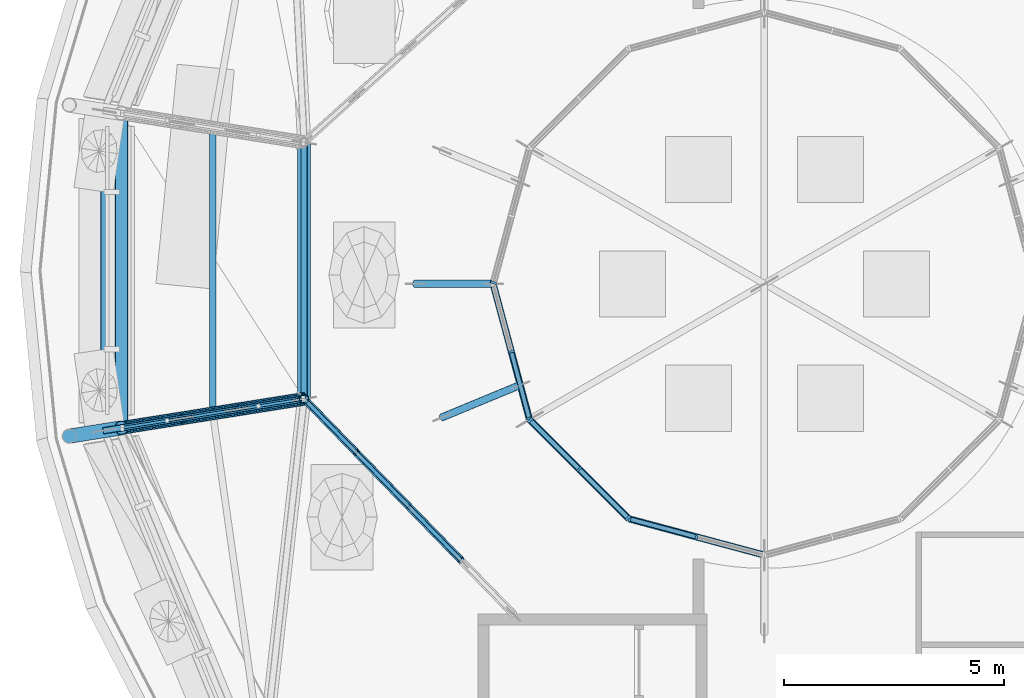
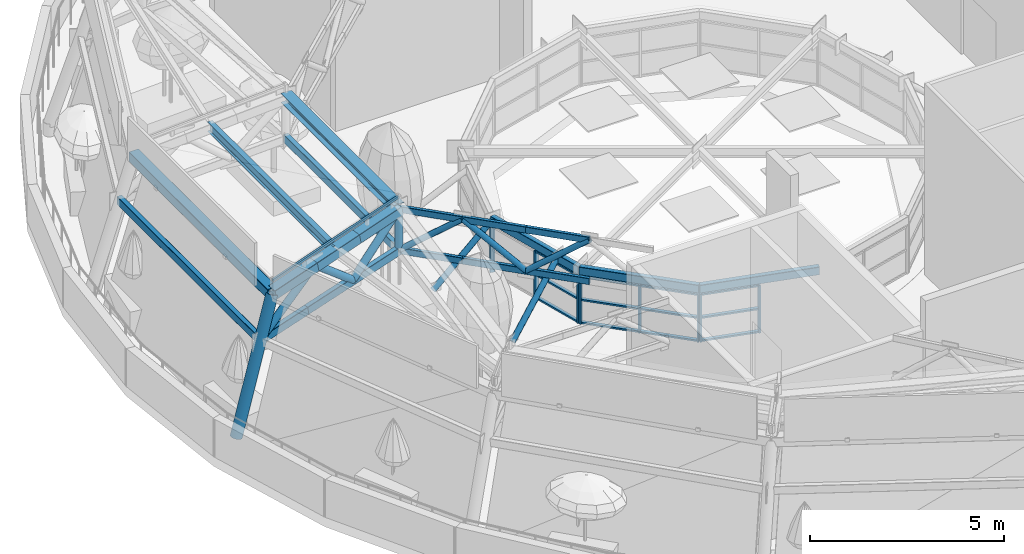
# One storey, part 6 of 40: 44 members, 7 beams, 5 elements without a shape of their own.
"""IFC4 building model written with IfcOpenShell, lengths in metres."""

from ifc_helpers import new_model, si_unit, direction, frame, origin, origin_2d, place, context, subcontext, project, spatial, rectangle, hollow_rectangle, hollow_circle, i_section, extrude, material, material_profile, profile_set, type_object, element, aggregate, save


model = new_model("IFC4")

# Units and contexts
model_context = context("Model", 3, precision=1e-05, world=origin(), true_north=direction((0.0, 1.0)))
body_context = subcontext(model_context, "Body", "Model", "MODEL_VIEW")
ifc_project = project(units=[si_unit("LENGTHUNIT", "METRE"), si_unit("AREAUNIT", "SQUARE_METRE"), si_unit("VOLUMEUNIT", "CUBIC_METRE"), si_unit("PLANEANGLEUNIT", "RADIAN"), si_unit("MASSUNIT", "GRAM", prefix="KILO")], contexts=[model_context])

# Site, building, storey
site_placement = place(None, origin())
site = spatial("IfcSite", under=ifc_project, at=site_placement, CompositionType="ELEMENT")
building_placement = place(site_placement, origin())
building = spatial("IfcBuilding", under=site, at=building_placement, Name="Taillehof Tower", CompositionType="ELEMENT")
storey_placement = place(building_placement, frame((0.0, 0.0, 275.199951171875)))
storey = spatial("IfcBuildingStorey", under=building, at=storey_placement, Name="L77", CompositionType="ELEMENT", Elevation=275.199951171875)

# Beam
ifc_material_1 = material(Name="Steel S460M", Category="steel")
ifc_material_profile_1 = material_profile(ifc_material_1, i_section(OverallWidth=0.300048828125, OverallDepth=0.2900390625, WebThickness=0.008544921875, FlangeThickness=0.013916015625, FilletRadius=0.027099609375, at=origin_2d()), Name="HEA 300")
ifc_profile_set_1 = profile_set([ifc_material_profile_1], Name="Steel S460M")
beam_type_1 = type_object("IfcBeamType", Name="Canopy apex ring beam HEA 300", PredefinedType="BEAM", material=ifc_profile_set_1)
beam_1_placement = place(storey_placement, frame((-18.451416015625, 3.212890625, 5.10009765625), z_axis=(0.0, -1.0, 0.0), x_axis=(1.0, 0.0, 0.0)))
element("IfcBeam", 1, at=beam_1_placement, inside=storey, type_object=beam_type_1, Name="Canopy ring beam CR27", PredefinedType="BEAM", context=body_context, shape_type="SweptSolid", body=[
    extrude(i_section(OverallWidth=0.300048828125, OverallDepth=0.2900390625, WebThickness=0.008544921875, FlangeThickness=0.013916015625, FilletRadius=0.027099609375, at=origin_2d()), origin(), (0.0, 0.0, 1.0), 5.825927734375),
])

# Curtain wall, member
ifc_material_2 = material(Name="Aluminium glazing bars with clear laminated safety glass", Category="aluminium")
curtain_wall_type_1 = type_object("IfcCurtainWallType", Name="Canopy glazing", PredefinedType="NOTDEFINED", material=ifc_material_2)
curtain_wall_1_placement = place(storey_placement, origin())
curtain_wall_1 = element("IfcCurtainWall", 2, at=curtain_wall_1_placement, inside=storey, type_object=curtain_wall_type_1, Name="Canopy glazing 4", PredefinedType="NOTDEFINED")
ifc_material_3 = material(Name="Aluminium glazing bar", Category="aluminium")
ifc_material_profile_2 = material_profile(ifc_material_3, rectangle(XDim=0.06005859375, YDim=0.070068359375, at=origin_2d()), Name="AL 60x70")
ifc_profile_set_2 = profile_set([ifc_material_profile_2], Name="Aluminium glazing bar")
member_type_1 = type_object("IfcMemberType", Name="Canopy glazing bar 60x70", PredefinedType="USERDEFINED", material=ifc_profile_set_2)
member_1_placement = place(storey_placement, frame((-22.59912109375, -3.27099609375, 4.68798828125), z_axis=(0.970208333844, 0.153888026585, 0.187120988171), x_axis=(-0.156655044229, 0.987653379034, 0.0)))
member_1 = element("IfcMember", 3, at=member_1_placement, type_object=member_type_1, Name="Canopy glazing bar 10", ObjectType="TRANSOM", PredefinedType="USERDEFINED", context=body_context, shape_type="SweptSolid", body=[
    extrude(rectangle(XDim=0.06005859375, YDim=0.070068359375, at=origin_2d()), origin(), (0.0, 0.0, 1.0), 4.275634765625),
])
aggregate(curtain_wall_1, [member_1])

# Member
ifc_material_4 = material(Name="Steel S460M", Category="steel")
ifc_material_profile_3 = material_profile(ifc_material_4, hollow_circle(Radius=0.109619140625, WallThickness=0.012451171875, at=origin_2d()), Name="CHS 219.1x12.5")
ifc_profile_set_3 = profile_set([ifc_material_profile_3], Name="Steel S460M")
member_type_2 = type_object("IfcMemberType", Name="Canopy inner ring post CHS 219.1x12.5", PredefinedType="POST", material=ifc_profile_set_3)
member_2_placement = place(storey_placement, frame((-18.451416015625, -2.613037109375, 3.800048828125), z_axis=(0.0, 0.0, 1.0), x_axis=(1.0, 0.0, 0.0)))
element("IfcMember", 4, at=member_2_placement, inside=storey, type_object=member_type_2, Name="Canopy ring post RP10", PredefinedType="POST", context=body_context, shape_type="SweptSolid", body=[
    extrude(hollow_circle(Radius=0.109619140625, WallThickness=0.012451171875, at=origin_2d()), origin(), (0.0, 0.0, 1.0), 1.300048828125),
])

# Beams
ifc_material_5 = material(Name="Steel S460M", Category="steel")
ifc_material_profile_4 = material_profile(ifc_material_5, hollow_rectangle(XDim=0.14990234375, YDim=0.25, WallThickness=0.010009765625, InnerFilletRadius=0.010009765625, OuterFilletRadius=0.014892578125, at=origin_2d()), Name="RHS 250x150x10")
ifc_profile_set_4 = profile_set([ifc_material_profile_4], Name="Steel S460M")
beam_type_2 = type_object("IfcBeamType", Name="Canopy lower ring beam RHS 250x150x10", PredefinedType="BEAM", material=ifc_profile_set_4)
beam_2_placement = place(storey_placement, frame((-22.99462890625, 3.93408203125, 3.0), z_axis=(0.0, -1.0, 0.0), x_axis=(1.0, 0.0, 0.0)))
element("IfcBeam", 5, at=beam_2_placement, inside=storey, type_object=beam_type_2, Name="Canopy lower ring beam CB09", PredefinedType="BEAM", context=body_context, shape_type="SweptSolid", body=[
    extrude(hollow_rectangle(XDim=0.14990234375, YDim=0.25, WallThickness=0.010009765625, InnerFilletRadius=0.010009765625, OuterFilletRadius=0.014892578125, at=origin_2d()), origin(), (0.0, 0.0, 1.0), 7.26806640625),
])
beam_3_placement = place(storey_placement, frame((-18.451416015625, 3.212890625, 3.800048828125), z_axis=(0.0, -1.0, 0.0), x_axis=(1.0, 0.0, 0.0)))
element("IfcBeam", 6, at=beam_3_placement, inside=storey, type_object=beam_type_2, Name="Canopy lower ring beam CB27", PredefinedType="BEAM", context=body_context, shape_type="SweptSolid", body=[
    extrude(hollow_rectangle(XDim=0.14990234375, YDim=0.25, WallThickness=0.010009765625, InnerFilletRadius=0.010009765625, OuterFilletRadius=0.014892578125, at=origin_2d()), origin(), (0.0, 0.0, 1.0), 5.825927734375),
])

# Members
ifc_material_6 = material(Name="Steel S460M", Category="steel")
ifc_material_profile_5 = material_profile(ifc_material_6, i_section(OverallWidth=0.14990234375, OverallDepth=0.300048828125, WebThickness=0.007080078125, FlangeThickness=0.0107421875, FilletRadius=0.014892578125, at=origin_2d()), Name="IPE 300")
ifc_profile_set_5 = profile_set([ifc_material_profile_5], Name="Steel S460M")
member_type_3 = type_object("IfcMemberType", Name="Canopy purlin IPE 300", PredefinedType="PURLIN", material=ifc_profile_set_5)
member_3_placement = place(storey_placement, frame((-20.52490234375, 3.5419921875, 4.699951171875), z_axis=(0.0, -1.0, 0.0), x_axis=(1.0, 0.0, 0.0)))
element("IfcMember", 7, at=member_3_placement, inside=storey, type_object=member_type_3, Name="Canopy purlin CP09", PredefinedType="PURLIN", context=body_context, shape_type="SweptSolid", body=[
    extrude(i_section(OverallWidth=0.14990234375, OverallDepth=0.300048828125, WebThickness=0.007080078125, FlangeThickness=0.0107421875, FilletRadius=0.014892578125, at=origin_2d()), origin(), (0.0, 0.0, 1.0), 6.48388671875),
])
ifc_material_7 = material(Name="Steel S460M", Category="steel")
ifc_material_profile_6 = material_profile(ifc_material_7, hollow_rectangle(XDim=0.300048828125, YDim=0.300048828125, WallThickness=0.012451171875, InnerFilletRadius=0.012451171875, OuterFilletRadius=0.018798828125, at=origin_2d()), Name="RHS 300x300x12.5")
ifc_profile_set_6 = profile_set([ifc_material_profile_6], Name="Steel S460M")
member_type_4 = type_object("IfcMemberType", Name="Canopy rafter RHS 300x300x12.5", PredefinedType="RAFTER", material=ifc_profile_set_6)
member_4_placement = place(storey_placement, frame((-22.599365234375, -3.271240234375, 4.300048828125), z_axis=(0.970220522917, 0.153850967611, 0.187088259054), x_axis=(-0.156616325028, 0.98765951964, 0.0)))
element("IfcMember", 8, at=member_4_placement, inside=storey, type_object=member_type_4, Name="Canopy rafter 10 top chord 1", PredefinedType="RAFTER", context=body_context, shape_type="SweptSolid", body=[
    extrude(hollow_rectangle(XDim=0.300048828125, YDim=0.300048828125, WallThickness=0.012451171875, InnerFilletRadius=0.012451171875, OuterFilletRadius=0.018798828125, at=origin_2d()), origin(), (0.0, 0.0, 1.0), 1.425048828125),
])
member_5_placement = place(storey_placement, frame((-21.216796875, -3.052001953125, 4.566650390625), z_axis=(0.970173894871, 0.153987699769, 0.18721752597), x_axis=(-0.156759444883, 0.987636814036, 0.0)))
element("IfcMember", 9, at=member_5_placement, inside=storey, type_object=member_type_4, Name="Canopy rafter 10 top chord 2", PredefinedType="RAFTER", context=body_context, shape_type="SweptSolid", body=[
    extrude(hollow_rectangle(XDim=0.300048828125, YDim=0.300048828125, WallThickness=0.012451171875, InnerFilletRadius=0.012451171875, OuterFilletRadius=0.018798828125, at=origin_2d()), origin(), (0.0, 0.0, 1.0), 1.42529296875),
])
member_6_placement = place(storey_placement, frame((-19.833984375, -2.83251953125, 4.83349609375), z_axis=(0.97019493593, 0.154018231927, 0.187083325099), x_axis=(-0.156786445822, 0.987632528022, 0.0)))
element("IfcMember", 10, at=member_6_placement, inside=storey, type_object=member_type_4, Name="Canopy rafter 10 top chord 3", PredefinedType="RAFTER", context=body_context, shape_type="SweptSolid", body=[
    extrude(hollow_rectangle(XDim=0.300048828125, YDim=0.300048828125, WallThickness=0.012451171875, InnerFilletRadius=0.012451171875, OuterFilletRadius=0.018798828125, at=origin_2d()), origin(), (0.0, 0.0, 1.0), 1.425048828125),
])
ifc_material_8 = material(Name="Steel S460M", Category="steel")
ifc_material_profile_7 = material_profile(ifc_material_8, hollow_rectangle(XDim=0.14990234375, YDim=0.25, WallThickness=0.010009765625, InnerFilletRadius=0.010009765625, OuterFilletRadius=0.014892578125, at=origin_2d()), Name="RHS 250x150x10")
ifc_profile_set_7 = profile_set([ifc_material_profile_7], Name="Steel S460M")
member_type_5 = type_object("IfcMemberType", Name="Canopy rafter bottom chord RHS 250x150x10", PredefinedType="CHORD", material=ifc_profile_set_7)
for number, where, z_axis, x_axis, name in (
    (11, (-22.99462890625, -3.333984375, 3.0), (0.973051883323, 0.15435806113, 0.171299799547), (-0.156673865429, 0.987650393556, 0.0), "Canopy rafter 10 bottom chord 1"),
    (12, (-21.480224609375, -3.09375, 3.2666015625), (0.973002154563, 0.154507032443, 0.171447905036), (-0.156829172664, 0.987625744197, 0.0), "Canopy rafter 10 bottom chord 2"),
    (13, (-19.9658203125, -2.853271484375, 3.533447265625), (0.973051883323, 0.15435806113, 0.171299799547), (-0.156673865429, 0.987650393556, 0.0), "Canopy rafter 10 bottom chord 3"),
):
    element("IfcMember", number, at=place(storey_placement, frame(where, z_axis=z_axis, x_axis=x_axis)), inside=storey, type_object=member_type_5, Name=name, PredefinedType="CHORD", context=body_context, shape_type="SweptSolid", body=[
        extrude(hollow_rectangle(XDim=0.14990234375, YDim=0.25, WallThickness=0.010009765625, InnerFilletRadius=0.010009765625, OuterFilletRadius=0.014892578125, at=origin_2d()), origin(), (0.0, 0.0, 1.0), 1.556396484375),
    ])
ifc_material_9 = material(Name="Steel S460M", Category="steel")
ifc_material_profile_8 = material_profile(ifc_material_9, hollow_circle(Radius=0.109619140625, WallThickness=0.012451171875, at=origin_2d()), Name="CHS 219.1x12.5")
ifc_profile_set_8 = profile_set([ifc_material_profile_8], Name="Steel S460M")
member_type_6 = type_object("IfcMemberType", Name="Canopy rafter diagonal CHS 219.1x12.5", PredefinedType="BRACE", material=ifc_profile_set_8)
member_7_placement = place(storey_placement, frame((-22.99462890625, -3.333984375, 3.0), z_axis=(0.745005250451, 0.118165485343, 0.656509021168), x_axis=(-0.156652046412, 0.987653854523, 0.0)))
element("IfcMember", 14, at=member_7_placement, inside=storey, type_object=member_type_6, Name="Canopy rafter 10 diagonal 1", PredefinedType="BRACE", context=body_context, shape_type="SweptSolid", body=[
    extrude(hollow_circle(Radius=0.109619140625, WallThickness=0.012451171875, at=origin_2d()), origin(), (0.0, 0.0, 1.0), 2.38623046875),
])
member_8_placement = place(storey_placement, frame((-21.216796875, -3.052001953125, 4.566650390625), z_axis=(0.765306545237, 0.121576800902, -0.632079878892), x_axis=(-0.156892880425, 0.987615625672, 0.0)))
element("IfcMember", 15, at=member_8_placement, inside=storey, type_object=member_type_6, Name="Canopy rafter 10 diagonal 2", PredefinedType="BRACE", context=body_context, shape_type="SweptSolid", body=[
    extrude(hollow_circle(Radius=0.109619140625, WallThickness=0.012451171875, at=origin_2d()), origin(), (0.0, 0.0, 1.0), 1.634521484375),
])
member_9_placement = place(storey_placement, frame((-19.9658203125, -2.853271484375, 3.533447265625), z_axis=(0.690830257011, 0.109588420587, 0.714663511082), x_axis=(-0.156673865429, 0.987650393556, 0.0)))
element("IfcMember", 16, at=member_9_placement, inside=storey, type_object=member_type_6, Name="Canopy rafter 10 diagonal 3", PredefinedType="BRACE", context=body_context, shape_type="SweptSolid", body=[
    extrude(hollow_circle(Radius=0.109619140625, WallThickness=0.012451171875, at=origin_2d()), origin(), (0.0, 0.0, 1.0), 2.192138671875),
])
ifc_material_10 = material(Name="Steel S460M", Category="steel")
ifc_material_profile_9 = material_profile(ifc_material_10, hollow_circle(Radius=0.161865234375, WallThickness=0.01611328125, at=origin_2d()), Name="CHS 323.9x16")
ifc_profile_set_9 = profile_set([ifc_material_profile_9], Name="Steel S460M")
member_type_7 = type_object("IfcMemberType", Name="Canopy raking column CHS 323.9x16", PredefinedType="POST", material=ifc_profile_set_9)
member_10_placement = place(storey_placement, frame((-23.78466796875, -3.45947265625, 0.300048828125), z_axis=(0.2838254853, 0.045073007037, 0.957816014656), x_axis=(-0.156839984557, 0.987624027272, 0.0)))
element("IfcMember", 17, at=member_10_placement, inside=storey, type_object=member_type_7, Name="Canopy raking column CC10", PredefinedType="POST", context=body_context, shape_type="SweptSolid", body=[
    extrude(hollow_circle(Radius=0.161865234375, WallThickness=0.01611328125, at=origin_2d()), origin(), (0.0, 0.0, 1.0), 4.17626953125),
])

# Beam
ifc_material_11 = material(Name="Steel S460M", Category="steel")
ifc_material_profile_10 = material_profile(ifc_material_11, hollow_rectangle(XDim=0.300048828125, YDim=0.300048828125, WallThickness=0.012451171875, InnerFilletRadius=0.012451171875, OuterFilletRadius=0.018798828125, at=origin_2d()), Name="RHS 300x300x12.5")
ifc_profile_set_10 = profile_set([ifc_material_profile_10], Name="Steel S460M")
beam_type_3 = type_object("IfcBeamType", Name="Canopy ring beam RHS 300x300x12.5", PredefinedType="BEAM", material=ifc_profile_set_10)
beam_4_placement = place(storey_placement, frame((-22.599365234375, 3.871337890625, 4.300048828125), z_axis=(0.0, -1.0, 0.0), x_axis=(1.0, 0.0, 0.0)))
element("IfcBeam", 18, at=beam_4_placement, inside=storey, type_object=beam_type_3, Name="Canopy ring beam CR09", PredefinedType="BEAM", context=body_context, shape_type="SweptSolid", body=[
    extrude(hollow_rectangle(XDim=0.300048828125, YDim=0.300048828125, WallThickness=0.012451171875, InnerFilletRadius=0.012451171875, OuterFilletRadius=0.018798828125, at=origin_2d()), origin(), (0.0, 0.0, 1.0), 7.142578125),
])

# Members
ifc_material_12 = material(Name="Steel S460M", Category="steel")
ifc_material_profile_11 = material_profile(ifc_material_12, hollow_rectangle(XDim=0.10009765625, YDim=0.199951171875, WallThickness=0.008056640625, InnerFilletRadius=0.008056640625, OuterFilletRadius=0.011962890625, at=origin_2d()), Name="RHS 200x100x8")
ifc_profile_set_11 = profile_set([ifc_material_profile_11], Name="Steel S460M")
member_type_8 = type_object("IfcMemberType", Name="Canopy spur chord RHS 200x100x8", PredefinedType="CHORD", material=ifc_profile_set_11)
for number, where, z_axis, x_axis, name in (
    (19, (-18.451416015625, -2.613037109375, 5.10009765625), (0.697078393292, -0.716994918814, 0.0), (0.716994918814, 0.697078393292, 0.0), "Canopy rafter S10 top chord 1"),
    (20, (-18.451416015625, -2.613037109375, 3.800048828125), (0.697078393292, -0.716994918814, 0.0), (0.716994918814, 0.697078393292, 0.0), "Canopy rafter S10 bottom chord 1"),
):
    element("IfcMember", number, at=place(storey_placement, frame(where, z_axis=z_axis, x_axis=x_axis)), inside=storey, type_object=member_type_8, Name=name, PredefinedType="CHORD", context=body_context, shape_type="SweptSolid", body=[
        extrude(hollow_rectangle(XDim=0.10009765625, YDim=0.199951171875, WallThickness=0.008056640625, InnerFilletRadius=0.008056640625, OuterFilletRadius=0.011962890625, at=origin_2d()), origin(), (0.0, 0.0, 1.0), 1.703857421875),
    ])
for number, where, z_axis, x_axis, name in (
    (21, (-17.263671875, -3.834716796875, 5.10009765625), (0.697152042125, -0.716923308424, 0.0), (0.716923308424, 0.697152042125, 0.0), "Canopy rafter S10 top chord 2"),
    (22, (-17.263671875, -3.834716796875, 3.800048828125), (0.697152042125, -0.716923308424, 0.0), (0.716923308424, 0.697152042125, 0.0), "Canopy rafter S10 bottom chord 2"),
    (23, (-16.07568359375, -5.056396484375, 5.10009765625), (0.697006783412, -0.717064532575, 0.0), (0.717064532575, 0.697006783412, 0.0), "Canopy rafter S10 top chord 3"),
    (24, (-16.07568359375, -5.056396484375, 3.800048828125), (0.697006783412, -0.717064532575, 0.0), (0.717064532575, 0.697006783412, 0.0), "Canopy rafter S10 bottom chord 3"),
):
    element("IfcMember", number, at=place(storey_placement, frame(where, z_axis=z_axis, x_axis=x_axis)), inside=storey, type_object=member_type_8, Name=name, PredefinedType="CHORD", context=body_context, shape_type="SweptSolid", body=[
        extrude(hollow_rectangle(XDim=0.10009765625, YDim=0.199951171875, WallThickness=0.008056640625, InnerFilletRadius=0.008056640625, OuterFilletRadius=0.011962890625, at=origin_2d()), origin(), (0.0, 0.0, 1.0), 1.7041015625),
    ])
ifc_material_13 = material(Name="Steel S460M", Category="steel")
ifc_material_profile_12 = material_profile(ifc_material_13, hollow_circle(Radius=0.084228515625, WallThickness=0.008056640625, at=origin_2d()), Name="CHS 168.3x8")
ifc_profile_set_12 = profile_set([ifc_material_profile_12], Name="Steel S460M")
member_type_9 = type_object("IfcMemberType", Name="Canopy spur diagonal CHS 168.3x8", PredefinedType="BRACE", material=ifc_profile_set_12)
for number, where, z_axis, x_axis, name in (
    (25, (-18.451416015625, -2.613037109375, 3.800048828125), (0.554188422258, -0.570022377179, 0.606588560847), (0.716994918814, 0.697078393292, 0.0), "Canopy rafter S10 diagonal 1"),
    (26, (-17.263671875, -3.834716796875, 5.10009765625), (0.554267342515, -0.569986391686, -0.606550266932), (0.716923308424, 0.697152042125, 0.0), "Canopy rafter S10 diagonal 2"),
    (27, (-16.07568359375, -5.056396484375, 3.800048828125), (0.554152436964, -0.570099269683, 0.606549173039), (0.717064532575, 0.697006783412, 0.0), "Canopy rafter S10 diagonal 3"),
):
    element("IfcMember", number, at=place(storey_placement, frame(where, z_axis=z_axis, x_axis=x_axis)), inside=storey, type_object=member_type_9, Name=name, PredefinedType="BRACE", context=body_context, shape_type="SweptSolid", body=[
        extrude(hollow_circle(Radius=0.084228515625, WallThickness=0.008056640625, at=origin_2d()), origin(), (0.0, 0.0, 1.0), 2.143310546875),
    ])

# Beams
ifc_material_14 = material(Name="Steel S460M", Category="steel")
ifc_material_profile_13 = material_profile(ifc_material_14, hollow_rectangle(XDim=0.14990234375, YDim=0.25, WallThickness=0.010009765625, InnerFilletRadius=0.010009765625, OuterFilletRadius=0.014892578125, at=origin_2d()), Name="RHS 250x150x10")
ifc_profile_set_13 = profile_set([ifc_material_profile_13], Name="Steel S460M")
beam_type_4 = type_object("IfcBeamType", Name="Lantern ring beam RHS 250x150x10", PredefinedType="BEAM", material=ifc_profile_set_13)
beam_5_placement = place(storey_placement, frame((-14.159912109375, 0.0, 1.675048828125), z_axis=(0.258787112499, -0.965934382039, 0.0), x_axis=(0.965934382039, 0.258787112499, 0.0)))
element("IfcBeam", 28, at=beam_5_placement, inside=storey, type_object=beam_type_4, Name="Lantern ring beam LR07", PredefinedType="BEAM", context=body_context, shape_type="SweptSolid", body=[
    extrude(hollow_rectangle(XDim=0.14990234375, YDim=0.25, WallThickness=0.010009765625, InnerFilletRadius=0.010009765625, OuterFilletRadius=0.014892578125, at=origin_2d()), origin(), (0.0, 0.0, 1.0), 3.188720703125),
])
beam_6_placement = place(storey_placement, frame((-13.334716796875, -3.080078125, 1.675048828125), z_axis=(0.707106781187, -0.707106781187, 0.0), x_axis=(0.707106781187, 0.707106781187, 0.0)))
element("IfcBeam", 29, at=beam_6_placement, inside=storey, type_object=beam_type_4, Name="Lantern ring beam LR08", PredefinedType="BEAM", context=body_context, shape_type="SweptSolid", body=[
    extrude(hollow_rectangle(XDim=0.14990234375, YDim=0.25, WallThickness=0.010009765625, InnerFilletRadius=0.010009765625, OuterFilletRadius=0.014892578125, at=origin_2d()), origin(), (0.0, 0.0, 1.0), 3.1884765625),
])
beam_7_placement = place(storey_placement, frame((-11.080078125, -5.334716796875, 1.675048828125), z_axis=(0.965934382039, -0.258787112499, 0.0), x_axis=(0.258787112499, 0.965934382039, 0.0)))
element("IfcBeam", 30, at=beam_7_placement, inside=storey, type_object=beam_type_4, Name="Lantern ring beam LR09", PredefinedType="BEAM", context=body_context, shape_type="SweptSolid", body=[
    extrude(hollow_rectangle(XDim=0.14990234375, YDim=0.25, WallThickness=0.010009765625, InnerFilletRadius=0.010009765625, OuterFilletRadius=0.014892578125, at=origin_2d()), origin(), (0.0, 0.0, 1.0), 3.188720703125),
])

# Members
ifc_material_15 = material(Name="Steel S460M", Category="steel")
ifc_material_profile_14 = material_profile(ifc_material_15, hollow_circle(Radius=0.084228515625, WallThickness=0.008056640625, at=origin_2d()), Name="CHS 168.3x8")
ifc_profile_set_14 = profile_set([ifc_material_profile_14], Name="Steel S460M")
member_type_10 = type_object("IfcMemberType", Name="Lantern strut CHS 168.3x8", PredefinedType="STRUT", material=ifc_profile_set_14)
member_11_placement = place(storey_placement, frame((-15.931640625, 0.0, 0.062255859375), z_axis=(0.739497265291, 0.0, 0.673159561046), x_axis=(0.0, 1.0, 0.0)))
element("IfcMember", 31, at=member_11_placement, inside=storey, type_object=member_type_10, Name="Lantern strut LS05", PredefinedType="STRUT", context=body_context, shape_type="SweptSolid", body=[
    extrude(hollow_circle(Radius=0.084228515625, WallThickness=0.008056640625, at=origin_2d()), origin(), (0.0, 0.0, 1.0), 2.395751953125),
])
member_12_placement = place(storey_placement, frame((-15.31982421875, -3.031982421875, 0.064453125), z_axis=(0.708027740233, 0.293299347212, 0.642395681793), x_axis=(-0.382710891507, 0.923868158084, 0.0)))
element("IfcMember", 32, at=member_12_placement, inside=storey, type_object=member_type_10, Name="Lantern strut LS06", PredefinedType="STRUT", context=body_context, shape_type="SweptSolid", body=[
    extrude(hollow_circle(Radius=0.084228515625, WallThickness=0.008056640625, at=origin_2d()), origin(), (0.0, 0.0, 1.0), 2.507080078125),
])

# Curtain wall, member
ifc_material_16 = material(Name="Aluminium curtain wall with Clear low-emissivity double glazing", Category="aluminium")
curtain_wall_type_2 = type_object("IfcCurtainWallType", Name="Roof lantern curtain wall", PredefinedType="USERDEFINED", material=ifc_material_16)
curtain_wall_2_placement = place(storey_placement, origin())
curtain_wall_2 = element("IfcCurtainWall", 33, at=curtain_wall_2_placement, inside=storey, type_object=curtain_wall_type_2, Name="Roof lantern bay 6", ObjectType="WINDOW WALL", PredefinedType="USERDEFINED")
ifc_material_17 = material(Name="Aluminium mullion", Category="aluminium")
ifc_material_profile_15 = material_profile(ifc_material_17, rectangle(XDim=0.139892578125, YDim=0.050048828125, at=origin_2d()), Name="AL 50x140")
ifc_profile_set_15 = profile_set([ifc_material_profile_15], Name="Aluminium mullion")
member_type_11 = type_object("IfcMemberType", Name="Roof lantern mullion 50x140", PredefinedType="MULLION", material=ifc_profile_set_15)
member_13_placement = place(storey_placement, frame((-14.153564453125, 0.024169921875, 0.0), z_axis=(0.0, 0.0, 1.0), x_axis=(0.965925826289, -0.258819045103, 0.0)))
member_13 = element("IfcMember", 34, at=member_13_placement, type_object=member_type_11, Name="CT706 mullion 3", PredefinedType="MULLION", context=body_context, shape_type="SweptSolid", body=[
    extrude(rectangle(XDim=0.139892578125, YDim=0.050048828125, at=origin_2d()), origin(), (0.0, 0.0, 1.0), 1.5),
])
aggregate(curtain_wall_2, [member_13])

# Curtain wall, members
curtain_wall_3_placement = place(storey_placement, origin())
curtain_wall_3 = element("IfcCurtainWall", 35, at=curtain_wall_3_placement, inside=storey, type_object=curtain_wall_type_2, Name="Roof lantern bay 7", ObjectType="WINDOW WALL", PredefinedType="USERDEFINED")
member_14_placement = place(storey_placement, frame((-13.747314453125, -1.5400390625, 0.0), z_axis=(0.0, 0.0, 1.0), x_axis=(0.965925826289, 0.258819045103, 0.0)))
member_14 = element("IfcMember", 36, at=member_14_placement, type_object=member_type_11, Name="CT707 mullion 2", PredefinedType="MULLION", context=body_context, shape_type="SweptSolid", body=[
    extrude(rectangle(XDim=0.139892578125, YDim=0.050048828125, at=origin_2d()), origin(), (0.0, 0.0, 1.0), 1.5),
])
member_15_placement = place(storey_placement, frame((-13.34130859375, -3.055908203125, 0.0), z_axis=(0.0, 0.0, 1.0), x_axis=(0.965925826289, 0.258819045103, 0.0)))
member_15 = element("IfcMember", 37, at=member_15_placement, type_object=member_type_11, Name="CT707 mullion 3", PredefinedType="MULLION", context=body_context, shape_type="SweptSolid", body=[
    extrude(rectangle(XDim=0.139892578125, YDim=0.050048828125, at=origin_2d()), origin(), (0.0, 0.0, 1.0), 1.5),
])

curtain_wall_4_placement = place(storey_placement, origin())
curtain_wall_4 = element("IfcCurtainWall", 38, at=curtain_wall_4_placement, inside=storey, type_object=curtain_wall_type_2, Name="Roof lantern bay 8", ObjectType="WINDOW WALL", PredefinedType="USERDEFINED")
member_16_placement = place(storey_placement, frame((-13.317138671875, -3.09765625, 0.0), z_axis=(0.0, 0.0, 1.0), x_axis=(0.707106781187, 0.707106781187, 0.0)))
member_16 = element("IfcMember", 39, at=member_16_placement, type_object=member_type_11, Name="CT708 mullion 1", PredefinedType="MULLION", context=body_context, shape_type="SweptSolid", body=[
    extrude(rectangle(XDim=0.139892578125, YDim=0.050048828125, at=origin_2d()), origin(), (0.0, 0.0, 1.0), 1.5),
])
member_17_placement = place(storey_placement, frame((-12.207275390625, -4.207275390625, 0.0), z_axis=(0.0, 0.0, 1.0), x_axis=(0.707106781187, 0.707106781187, 0.0)))
member_17 = element("IfcMember", 40, at=member_17_placement, type_object=member_type_11, Name="CT708 mullion 2", PredefinedType="MULLION", context=body_context, shape_type="SweptSolid", body=[
    extrude(rectangle(XDim=0.139892578125, YDim=0.050048828125, at=origin_2d()), origin(), (0.0, 0.0, 1.0), 1.5),
])
member_18_placement = place(storey_placement, frame((-11.09765625, -5.317138671875, 0.0), z_axis=(0.0, 0.0, 1.0), x_axis=(0.707106781187, 0.707106781187, 0.0)))
member_18 = element("IfcMember", 41, at=member_18_placement, type_object=member_type_11, Name="CT708 mullion 3", PredefinedType="MULLION", context=body_context, shape_type="SweptSolid", body=[
    extrude(rectangle(XDim=0.139892578125, YDim=0.050048828125, at=origin_2d()), origin(), (0.0, 0.0, 1.0), 1.5),
])

curtain_wall_5_placement = place(storey_placement, origin())
curtain_wall_5 = element("IfcCurtainWall", 42, at=curtain_wall_5_placement, inside=storey, type_object=curtain_wall_type_2, Name="Roof lantern bay 9", ObjectType="WINDOW WALL", PredefinedType="USERDEFINED")
member_19_placement = place(storey_placement, frame((-11.055908203125, -5.34130859375, 0.0), z_axis=(0.0, 0.0, 1.0), x_axis=(0.258819045103, 0.965925826289, 0.0)))
member_19 = element("IfcMember", 43, at=member_19_placement, type_object=member_type_11, Name="CT709 mullion 1", PredefinedType="MULLION", context=body_context, shape_type="SweptSolid", body=[
    extrude(rectangle(XDim=0.139892578125, YDim=0.050048828125, at=origin_2d()), origin(), (0.0, 0.0, 1.0), 1.5),
])
member_20_placement = place(storey_placement, frame((-9.5400390625, -5.747314453125, 0.0), z_axis=(0.0, 0.0, 1.0), x_axis=(0.258819045103, 0.965925826289, 0.0)))
member_20 = element("IfcMember", 44, at=member_20_placement, type_object=member_type_11, Name="CT709 mullion 2", PredefinedType="MULLION", context=body_context, shape_type="SweptSolid", body=[
    extrude(rectangle(XDim=0.139892578125, YDim=0.050048828125, at=origin_2d()), origin(), (0.0, 0.0, 1.0), 1.5),
])

# Member
ifc_material_18 = material(Name="Aluminium transom", Category="aluminium")
ifc_material_profile_16 = material_profile(ifc_material_18, rectangle(XDim=0.10009765625, YDim=0.050048828125, at=origin_2d()), Name="AL 100x50")
ifc_profile_set_16 = profile_set([ifc_material_profile_16], Name="Aluminium transom")
member_type_12 = type_object("IfcMemberType", Name="Roof lantern transom 100x50", PredefinedType="USERDEFINED", material=ifc_profile_set_16)
member_21_placement = place(storey_placement, frame((-13.740966796875, -1.564208984375, 0.025146484375), z_axis=(0.258872629048, -0.965911466921, 0.0), x_axis=(0.965911466921, 0.258872629048, 0.0)))
member_21 = element("IfcMember", 45, at=member_21_placement, type_object=member_type_12, Name="CT707 transom 2.1", ObjectType="TRANSOM", PredefinedType="USERDEFINED", context=body_context, shape_type="SweptSolid", body=[
    extrude(rectangle(XDim=0.10009765625, YDim=0.050048828125, at=origin_2d()), origin(), (0.0, 0.0, 1.0), 1.519287109375),
])

member_22_placement = place(storey_placement, frame((-13.740966796875, -1.564208984375, 0.75), z_axis=(0.258872629048, -0.965911466921, 0.0), x_axis=(0.965911466921, 0.258872629048, 0.0)))
member_22 = element("IfcMember", 46, at=member_22_placement, type_object=member_type_12, Name="CT707 transom 2.2", ObjectType="TRANSOM", PredefinedType="USERDEFINED", context=body_context, shape_type="SweptSolid", body=[
    extrude(rectangle(XDim=0.10009765625, YDim=0.050048828125, at=origin_2d()), origin(), (0.0, 0.0, 1.0), 1.519287109375),
])

member_23_placement = place(storey_placement, frame((-13.740966796875, -1.564208984375, 1.47509765625), z_axis=(0.258872629048, -0.965911466921, 0.0), x_axis=(0.965911466921, 0.258872629048, 0.0)))
member_23 = element("IfcMember", 47, at=member_23_placement, type_object=member_type_12, Name="CT707 transom 2.3", ObjectType="TRANSOM", PredefinedType="USERDEFINED", context=body_context, shape_type="SweptSolid", body=[
    extrude(rectangle(XDim=0.10009765625, YDim=0.050048828125, at=origin_2d()), origin(), (0.0, 0.0, 1.0), 1.519287109375),
])

aggregate(curtain_wall_3, [member_14, member_15, member_21, member_22, member_23])

member_24_placement = place(storey_placement, frame((-13.29931640625, -3.115234375, 0.025146484375), z_axis=(0.707026432709, -0.707187120535, 0.0), x_axis=(0.707187120535, 0.707026432709, 0.0)))
member_24 = element("IfcMember", 48, at=member_24_placement, type_object=member_type_12, Name="CT708 transom 1.1", ObjectType="TRANSOM", PredefinedType="USERDEFINED", context=body_context, shape_type="SweptSolid", body=[
    extrude(rectangle(XDim=0.10009765625, YDim=0.050048828125, at=origin_2d()), origin(), (0.0, 0.0, 1.0), 1.519287109375),
])

member_25_placement = place(storey_placement, frame((-13.29931640625, -3.115234375, 0.75), z_axis=(0.707026432709, -0.707187120535, 0.0), x_axis=(0.707187120535, 0.707026432709, 0.0)))
member_25 = element("IfcMember", 49, at=member_25_placement, type_object=member_type_12, Name="CT708 transom 1.2", ObjectType="TRANSOM", PredefinedType="USERDEFINED", context=body_context, shape_type="SweptSolid", body=[
    extrude(rectangle(XDim=0.10009765625, YDim=0.050048828125, at=origin_2d()), origin(), (0.0, 0.0, 1.0), 1.519287109375),
])

member_26_placement = place(storey_placement, frame((-13.29931640625, -3.115234375, 1.47509765625), z_axis=(0.707026432709, -0.707187120535, 0.0), x_axis=(0.707187120535, 0.707026432709, 0.0)))
member_26 = element("IfcMember", 50, at=member_26_placement, type_object=member_type_12, Name="CT708 transom 1.3", ObjectType="TRANSOM", PredefinedType="USERDEFINED", context=body_context, shape_type="SweptSolid", body=[
    extrude(rectangle(XDim=0.10009765625, YDim=0.050048828125, at=origin_2d()), origin(), (0.0, 0.0, 1.0), 1.519287109375),
])

member_27_placement = place(storey_placement, frame((-12.189697265625, -4.22509765625, 0.025146484375), z_axis=(0.707187120535, -0.707026432709, 0.0), x_axis=(0.707026432709, 0.707187120535, 0.0)))
member_27 = element("IfcMember", 51, at=member_27_placement, type_object=member_type_12, Name="CT708 transom 2.1", ObjectType="TRANSOM", PredefinedType="USERDEFINED", context=body_context, shape_type="SweptSolid", body=[
    extrude(rectangle(XDim=0.10009765625, YDim=0.050048828125, at=origin_2d()), origin(), (0.0, 0.0, 1.0), 1.519287109375),
])

member_28_placement = place(storey_placement, frame((-12.189697265625, -4.22509765625, 0.75), z_axis=(0.707187120535, -0.707026432709, 0.0), x_axis=(0.707026432709, 0.707187120535, 0.0)))
member_28 = element("IfcMember", 52, at=member_28_placement, type_object=member_type_12, Name="CT708 transom 2.2", ObjectType="TRANSOM", PredefinedType="USERDEFINED", context=body_context, shape_type="SweptSolid", body=[
    extrude(rectangle(XDim=0.10009765625, YDim=0.050048828125, at=origin_2d()), origin(), (0.0, 0.0, 1.0), 1.519287109375),
])

member_29_placement = place(storey_placement, frame((-12.189697265625, -4.22509765625, 1.47509765625), z_axis=(0.707187120535, -0.707026432709, 0.0), x_axis=(0.707026432709, 0.707187120535, 0.0)))
member_29 = element("IfcMember", 53, at=member_29_placement, type_object=member_type_12, Name="CT708 transom 2.3", ObjectType="TRANSOM", PredefinedType="USERDEFINED", context=body_context, shape_type="SweptSolid", body=[
    extrude(rectangle(XDim=0.10009765625, YDim=0.050048828125, at=origin_2d()), origin(), (0.0, 0.0, 1.0), 1.519287109375),
])

aggregate(curtain_wall_4, [member_16, member_17, member_18, member_24, member_25, member_26, member_27, member_28, member_29])

member_30_placement = place(storey_placement, frame((-11.03173828125, -5.34765625, 0.025146484375), z_axis=(0.965911466921, -0.258872629048, 0.0), x_axis=(0.258872629048, 0.965911466921, 0.0)))
member_30 = element("IfcMember", 54, at=member_30_placement, type_object=member_type_12, Name="CT709 transom 1.1", ObjectType="TRANSOM", PredefinedType="USERDEFINED", context=body_context, shape_type="SweptSolid", body=[
    extrude(rectangle(XDim=0.10009765625, YDim=0.050048828125, at=origin_2d()), origin(), (0.0, 0.0, 1.0), 1.519287109375),
])

member_31_placement = place(storey_placement, frame((-11.03173828125, -5.34765625, 0.75), z_axis=(0.965911466921, -0.258872629048, 0.0), x_axis=(0.258872629048, 0.965911466921, 0.0)))
member_31 = element("IfcMember", 55, at=member_31_placement, type_object=member_type_12, Name="CT709 transom 1.2", ObjectType="TRANSOM", PredefinedType="USERDEFINED", context=body_context, shape_type="SweptSolid", body=[
    extrude(rectangle(XDim=0.10009765625, YDim=0.050048828125, at=origin_2d()), origin(), (0.0, 0.0, 1.0), 1.519287109375),
])

member_32_placement = place(storey_placement, frame((-11.03173828125, -5.34765625, 1.47509765625), z_axis=(0.965911466921, -0.258872629048, 0.0), x_axis=(0.258872629048, 0.965911466921, 0.0)))
member_32 = element("IfcMember", 56, at=member_32_placement, type_object=member_type_12, Name="CT709 transom 1.3", ObjectType="TRANSOM", PredefinedType="USERDEFINED", context=body_context, shape_type="SweptSolid", body=[
    extrude(rectangle(XDim=0.10009765625, YDim=0.050048828125, at=origin_2d()), origin(), (0.0, 0.0, 1.0), 1.519287109375),
])

aggregate(curtain_wall_5, [member_19, member_20, member_30, member_31, member_32])

save(model, "model.ifc")
